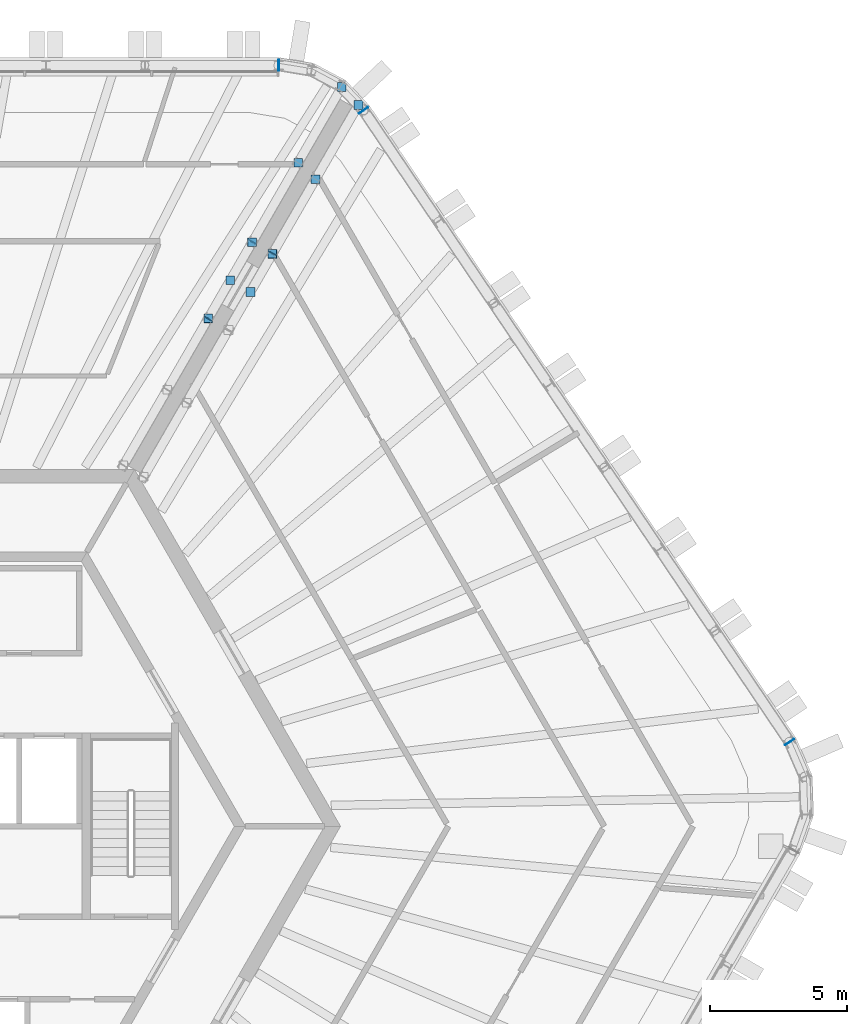
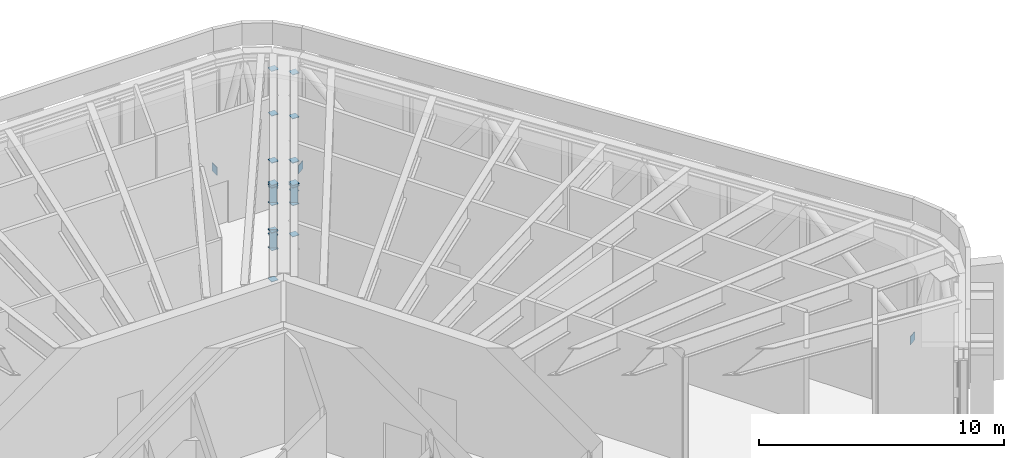
# One storey, part 21 of 24: 25 discrete accessories.
"""IFC4 building model written with IfcOpenShell, lengths in metres."""

from ifc_helpers import new_model, si_unit, direction, frame, origin, origin_2d, place, context, subcontext, project, spatial, rectangle, extrude, material, type_object, element, save


model = new_model("IFC4")

# Units and contexts
model_context = context("Model", 3, precision=1e-05, world=origin(), true_north=direction((0.0, 1.0)))
body_context = subcontext(model_context, "Body", "Model", "MODEL_VIEW")
ifc_project = project(units=[si_unit("LENGTHUNIT", "METRE"), si_unit("AREAUNIT", "SQUARE_METRE"), si_unit("VOLUMEUNIT", "CUBIC_METRE"), si_unit("PLANEANGLEUNIT", "RADIAN"), si_unit("MASSUNIT", "GRAM", prefix="KILO")], contexts=[model_context])

# Site, building, storey
site_placement = place(None, origin())
site = spatial("IfcSite", under=ifc_project, at=site_placement, CompositionType="ELEMENT")
building_placement = place(site_placement, origin())
building = spatial("IfcBuilding", under=site, at=building_placement, Name="Tarnside Tower", CompositionType="ELEMENT")
storey_placement = place(building_placement, frame((0.0, 0.0, 250.199951171875)))
storey = spatial("IfcBuildingStorey", under=building, at=storey_placement, Name="L60", CompositionType="ELEMENT", Elevation=250.199951171875)

# Discrete accessories
ifc_material = material(Name="Steel S355", Category="steel")
discrete_accessory_type_1 = type_object("IfcDiscreteAccessoryType", Name="Cast-in plate L60 belt truss chord end", PredefinedType="USERDEFINED", material=ifc_material)
for number, where, z_axis, x_axis, name in (
    (1, (12.760986328125, 27.72509765625, -0.2998046875), (0.0, 0.0, 1.0), (-1.0, 0.0, 0.0), "Cast-in plate run L60 A"),
    (2, (31.37109375, 3.07080078125, -0.2998046875), (0.0, 0.0, 1.0), (-0.559192903471, 0.829037572555, 0.0), "Cast-in plate run L60 A"),
    (3, (15.84912109375, 26.0830078125, -0.2998046875), (0.0, 0.0, 1.0), (-0.559192903471, 0.829037572555, 0.0), "Cast-in plate run L60 B"),
):
    element("IfcDiscreteAccessory", number, at=place(storey_placement, frame(where, z_axis=z_axis, x_axis=x_axis)), inside=storey, type_object=discrete_accessory_type_1, Name=name, ObjectType="Cast-in plate", PredefinedType="USERDEFINED", context=body_context, shape_type="SweptSolid", body=[
        extrude(rectangle(XDim=0.030029296875, YDim=0.403076171875, at=origin_2d()), origin(), (0.0, 0.0, 1.0), 0.406494140625),
    ])
discrete_accessory_type_2 = type_object("IfcDiscreteAccessoryType", Name="Gusset plate L60 outrigger end 308", PredefinedType="USERDEFINED", material=ifc_material)
for number, where, z_axis, x_axis, name in (
    (4, (10.185302734375, 18.492919921875, 2.4501953125), (0.0, 0.0, 1.0), (-0.500001511499, -0.866024531118, 0.0), "Gusset plate 1 L60"),
    (5, (11.80029296875, 21.2900390625, 2.4501953125), (0.0, 0.0, 1.0), (0.500001511499, 0.866024531118, 0.0), "Gusset plate 2 L60"),
    (6, (12.53759765625, 20.864501953125, 2.4501953125), (0.0, 0.0, 1.0), (0.500001511499, 0.866024531118, 0.0), "Gusset plate 19 L60"),
):
    element("IfcDiscreteAccessory", number, at=place(storey_placement, frame(where, z_axis=z_axis, x_axis=x_axis)), inside=storey, type_object=discrete_accessory_type_2, Name=name, ObjectType="Gusset plate", PredefinedType="USERDEFINED", context=body_context, shape_type="SweptSolid", body=[
        extrude(rectangle(XDim=0.030029296875, YDim=0.3076171875, at=origin_2d()), origin(), (0.0, 0.0, 1.0), 0.926513671875),
    ])
discrete_accessory_type_3 = type_object("IfcDiscreteAccessoryType", Name="Gusset plate L60 outrigger end 311", PredefinedType="USERDEFINED", material=ifc_material)
for number, where, z_axis, x_axis, name in (
    (7, (10.19287109375, 18.505859375, 0.896484375), (0.0, 0.0, 1.0), (1.0, 0.0, 0.0), "Gusset plate 7 L60"),
    (8, (10.19287109375, 18.505859375, 2.4501953125), (0.0, 0.0, 1.0), (1.0, 0.0, 0.0), "Gusset plate 8 L60"),
    (9, (11.792724609375, 21.277099609375, 0.896484375), (0.0, 0.0, 1.0), (1.0, 0.0, 0.0), "Gusset plate 9 L60"),
    (10, (11.792724609375, 21.277099609375, 2.4501953125), (0.0, 0.0, 1.0), (1.0, 0.0, 0.0), "Gusset plate 10 L60"),
    (11, (13.463623046875, 24.1708984375, 0.896484375), (0.0, 0.0, 1.0), (1.0, 0.0, 0.0), "Gusset plate 11 L60"),
    (12, (13.463623046875, 24.1708984375, 4.5732421875), (0.0, 0.0, 1.0), (1.0, 0.0, 0.0), "Gusset plate 12 L60"),
    (13, (12.530029296875, 20.851318359375, 0.896484375), (0.0, 0.0, 1.0), (1.0, 0.0, 0.0), "Gusset plate 26 L60"),
    (14, (12.530029296875, 20.851318359375, 2.4501953125), (0.0, 0.0, 1.0), (1.0, 0.0, 0.0), "Gusset plate 27 L60"),
    (15, (14.098876953125, 23.56884765625, 0.896484375), (0.0, 0.0, 1.0), (1.0, 0.0, 0.0), "Gusset plate 28 L60"),
    (16, (14.098876953125, 23.56884765625, 4.5732421875), (0.0, 0.0, 1.0), (1.0, 0.0, 0.0), "Gusset plate 29 L60"),
):
    element("IfcDiscreteAccessory", number, at=place(storey_placement, frame(where, z_axis=z_axis, x_axis=x_axis)), inside=storey, type_object=discrete_accessory_type_3, Name=name, ObjectType="Gusset plate", PredefinedType="USERDEFINED", context=body_context, shape_type="SweptSolid", body=[
        extrude(rectangle(XDim=0.311279296875, YDim=0.311279296875, at=origin_2d()), origin(), (0.0, 0.0, 1.0), 0.030029296875),
    ])
discrete_accessory_type_4 = type_object("IfcDiscreteAccessoryType", Name="Gusset plate L60 outrigger end 324", PredefinedType="USERDEFINED", material=ifc_material)
for number, where, z_axis, x_axis, name in (
    (17, (10.19287109375, 18.505859375, 3.3466796875), (0.0, 0.0, 1.0), (1.0, 0.0, 0.0), "Gusset plate 13 L60"),
    (18, (10.992919921875, 19.891357421875, 4.5732421875), (0.0, 0.0, 1.0), (1.0, 0.0, 0.0), "Gusset plate 14 L60"),
    (19, (11.792724609375, 21.277099609375, 3.3466796875), (0.0, 0.0, 1.0), (1.0, 0.0, 0.0), "Gusset plate 15 L60"),
    (20, (11.792724609375, 21.277099609375, 4.5732421875), (0.0, 0.0, 1.0), (1.0, 0.0, 0.0), "Gusset plate 16 L60"),
    (21, (15.05419921875, 26.92578125, 4.5732421875), (0.0, 0.0, 1.0), (1.0, 0.0, 0.0), "Gusset plate 17 L60"),
    (22, (11.72998046875, 19.4658203125, 4.5732421875), (0.0, 0.0, 1.0), (1.0, 0.0, 0.0), "Gusset plate 31 L60"),
    (23, (12.530029296875, 20.851318359375, 3.3466796875), (0.0, 0.0, 1.0), (1.0, 0.0, 0.0), "Gusset plate 32 L60"),
    (24, (12.530029296875, 20.851318359375, 4.5732421875), (0.0, 0.0, 1.0), (1.0, 0.0, 0.0), "Gusset plate 33 L60"),
    (25, (15.663818359375, 26.279296875, 4.5732421875), (0.0, 0.0, 1.0), (1.0, 0.0, 0.0), "Gusset plate 34 L60"),
):
    element("IfcDiscreteAccessory", number, at=place(storey_placement, frame(where, z_axis=z_axis, x_axis=x_axis)), inside=storey, type_object=discrete_accessory_type_4, Name=name, ObjectType="Gusset plate", PredefinedType="USERDEFINED", context=body_context, shape_type="SweptSolid", body=[
        extrude(rectangle(XDim=0.323974609375, YDim=0.323974609375, at=origin_2d()), origin(), (0.0, 0.0, 1.0), 0.030029296875),
    ])

save(model, "model.ifc")
